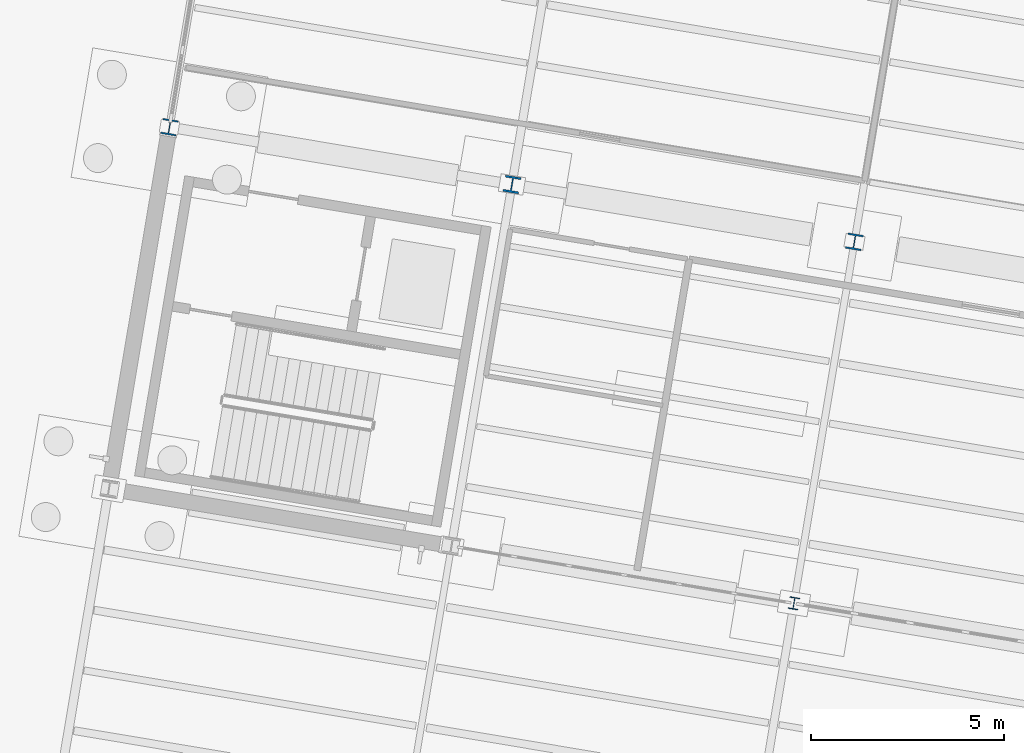
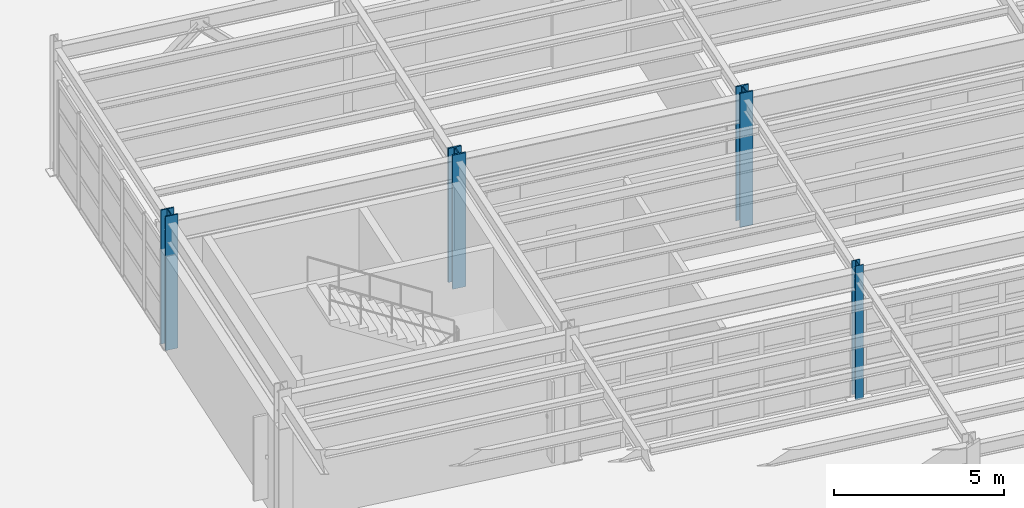
# One storey, part 20 of 108: 4 columns.
"""IFC4 building model written with IfcOpenShell, lengths in metres."""

import ifcopenshell
import ifcopenshell.guid

model = None  # the IFC model being written
_history = None  # IfcOwnerHistory: only IFC2X3 demands one
_inside = {}  # id of a spatial element -> (the spatial element, [elements in it])
_under = {}  # id of a project, library or spatial element -> (it, [spatial elements below it])
_declared = {}  # id of a project -> (the project, [libraries it declares])
_typed = {}  # id of a type object -> (the type object, [elements of that type])
_made_of = {}  # id of a material, layer set ... -> (it, [elements and type objects made of it])


def new_model(schema):
    """Start an empty IFC model of exactly this schema.

    Asked for "IFC4X3", IfcOpenShell would pick the latest addendum, in which some entities
    have other attributes; the version numbers below select the first issue.
    IFC2X3 requires an IfcOwnerHistory on every rooted entity: one is made here for all.
    """
    global model, _history
    if schema == "IFC4X3":
        model = ifcopenshell.file(schema_version=(4, 3, 0, 0))
    else:
        model = ifcopenshell.file(schema=schema)
    _inside.clear()
    _under.clear()
    _declared.clear()
    _typed.clear()
    _made_of.clear()
    _history = None
    if model.schema == "IFC2X3":
        org = make("IfcOrganization", Name="unknown")
        user = make(
            "IfcPersonAndOrganization",
            ThePerson=make("IfcPerson", FamilyName="unknown"),
            TheOrganization=org,
        )
        app = make(
            "IfcApplication",
            ApplicationDeveloper=org,
            Version="unknown",
            ApplicationFullName="unknown",
            ApplicationIdentifier="unknown",
        )
        _history = make(
            "IfcOwnerHistory",
            OwningUser=user,
            OwningApplication=app,
            ChangeAction="ADDED",
            CreationDate=0,
        )
    return model


def make(cls, **values):
    """One entity of the class cls with the attributes given. An attribute that is None is left unset."""
    return model.create_entity(
        cls, **{name: value for name, value in values.items() if value is not None}
    )


def rooted(cls, **values):
    """An entity with a GlobalId (a new one), such as an element, a storey or a relation."""
    return make(cls, GlobalId=ifcopenshell.guid.new(), OwnerHistory=_history, **values)


def si_unit(unit_type, name, prefix=None):
    """IfcSIUnit, for example si_unit("LENGTHUNIT", "METRE", prefix="MILLI")."""
    return make("IfcSIUnit", UnitType=unit_type, Prefix=prefix, Name=name)


def assignment(units):
    """IfcUnitAssignment: the units of a project."""
    return None if units is None else make("IfcUnitAssignment", Units=units)


def point(xyz):
    """IfcCartesianPoint."""
    return None if xyz is None else make("IfcCartesianPoint", Coordinates=xyz)


def direction(xyz):
    """IfcDirection."""
    return None if xyz is None else make("IfcDirection", DirectionRatios=xyz)


def frame(location, z_axis=None, x_axis=None):
    """IfcAxis2Placement3D, a coordinate frame: its origin and axes. An axis left out is left unset."""
    return make(
        "IfcAxis2Placement3D",
        Location=point(location),
        Axis=direction(z_axis),
        RefDirection=direction(x_axis),
    )


def frame_2d(location, x_axis=None):
    """IfcAxis2Placement2D, a coordinate frame in the plane: its origin and x axis."""
    return make(
        "IfcAxis2Placement2D", Location=point(location), RefDirection=direction(x_axis)
    )


def origin():
    """The frame at (0, 0, 0) with its axes left unset."""
    return frame((0.0, 0.0, 0.0))


def origin_2d():
    """The frame at (0, 0) in the plane with its x axis left unset."""
    return frame_2d((0.0, 0.0))


def place(relative_to, where):
    """IfcLocalPlacement: puts the frame where relative to a parent placement (None: the world)."""
    return make(
        "IfcLocalPlacement", PlacementRelTo=relative_to, RelativePlacement=where
    )


def context(
    kind, dimensions, precision=None, world=None, true_north=None, identifier=None
):
    """IfcGeometricRepresentationContext, for example the 3D "Model" context."""
    return make(
        "IfcGeometricRepresentationContext",
        ContextIdentifier=identifier,
        ContextType=kind,
        CoordinateSpaceDimension=dimensions,
        Precision=precision,
        WorldCoordinateSystem=world,
        TrueNorth=true_north,
    )


def subcontext(parent, identifier, kind, view, scale=None):
    """IfcGeometricRepresentationSubContext, for example "Body" below "Model"."""
    return make(
        "IfcGeometricRepresentationSubContext",
        ContextIdentifier=identifier,
        ContextType=kind,
        ParentContext=parent,
        TargetScale=scale,
        TargetView=view,
    )


def project(units=None, contexts=None):
    """IfcProject with its units and contexts."""
    return rooted(
        "IfcProject",
        Name="project",
        RepresentationContexts=contexts,
        UnitsInContext=assignment(units),
    )


def spatial(cls, under=None, at=None, **own):
    """A site, building, storey or space (cls), placed at a placement, below another one or the project."""
    s = rooted(cls, ObjectPlacement=at, **own)
    if under is not None:
        _under.setdefault(under.id(), (under, []))[1].append(s)
    return s


def profile(cls, at=None, kind="AREA", **sizes):
    """A parametric profile (cls). Its sizes go by their IFC names, for example OverallWidth=200.0."""
    return make(cls, ProfileType=kind, Position=at, **sizes)


def i_section(**sizes):
    """IfcIShapeProfileDef."""
    return profile("IfcIShapeProfileDef", **sizes)


def extrude(swept, where, along, depth):
    """IfcExtrudedAreaSolid: the profile swept, set in the frame where, extruded along a direction by depth."""
    return make(
        "IfcExtrudedAreaSolid",
        SweptArea=swept,
        Position=where,
        ExtrudedDirection=direction(along),
        Depth=depth,
    )


def shape(context_of_items, identifier, shape_type, items):
    """IfcShapeRepresentation: the items that make up one representation, for example the "Body"."""
    return make(
        "IfcShapeRepresentation",
        ContextOfItems=context_of_items,
        RepresentationIdentifier=identifier,
        RepresentationType=shape_type,
        Items=items,
    )


def material(Name=None, Category=None):
    """IfcMaterial."""
    return make("IfcMaterial", Name=Name, Category=Category)


def material_profile(
    of_material, cross_section, Name=None, Category=None, Priority=None
):
    """IfcMaterialProfile: a cross section and its material."""
    return make(
        "IfcMaterialProfile",
        Name=Name,
        Material=of_material,
        Profile=cross_section,
        Priority=Priority,
        Category=Category,
    )


def profile_set(profiles, Name=None, composite=None):
    """IfcMaterialProfileSet."""
    return make(
        "IfcMaterialProfileSet",
        Name=Name,
        MaterialProfiles=profiles,
        CompositeProfile=composite,
    )


def made_of(thing, what):
    """Note that an element or type object is made of a material, layer set ...; save() writes the relation."""
    if what is not None:
        _made_of.setdefault(what.id(), (what, []))[1].append(thing)
    return thing


def type_object(cls, material=None, **own):
    """A type object (cls), such as IfcWallType, which elements share."""
    return made_of(rooted(cls, **own), material)


def element(
    cls,
    number,
    at=None,
    inside=None,
    cuts=None,
    type_object=None,
    material=None,
    context=None,
    identifier="Body",
    shape_type=None,
    held_by="IfcProductDefinitionShape",
    body=None,
    shapes=None,
    **own,
):
    """One element of the class cls, such as IfcWall. Its Tag is "e" and its number.

    at: its placement. inside: the storey or other place that contains it. cuts: it is an
    opening in that element (IfcRelVoidsElement). A single representation is given by context,
    identifier, shape_type and body (its items); several are given by shapes. held_by: the class
    of the entity that holds the representations. save() writes the other relations.
    """
    e = rooted(cls, Tag="e%d" % number, ObjectPlacement=at, **own)
    if body is not None:
        shapes = [shape(context, identifier, shape_type, body)]
    if shapes is not None:
        e.Representation = make(held_by, Representations=shapes)
    if inside is not None:
        _inside.setdefault(inside.id(), (inside, []))[1].append(e)
    if cuts is not None:
        rooted(
            "IfcRelVoidsElement", RelatingBuildingElement=cuts, RelatedOpeningElement=e
        )
    if type_object is not None:
        _typed.setdefault(type_object.id(), (type_object, []))[1].append(e)
    return made_of(e, material)


def aggregate(whole, parts):
    """IfcRelAggregates: a whole, such as a stair, and the parts it consists of."""
    return rooted("IfcRelAggregates", RelatingObject=whole, RelatedObjects=parts)


def save(model, path):
    """Write the relations noted so far, then the file.

    IfcRelAggregates (storeys below a building ...), IfcRelContainedInSpatialStructure (elements
    in a storey), IfcRelDefinesByType, IfcRelAssociatesMaterial and IfcRelDeclares: one each for
    every whole, place, type object, material and project.
    """
    for whole, parts in _under.values():
        aggregate(whole, parts)
    for where, things in _inside.values():
        rooted(
            "IfcRelContainedInSpatialStructure",
            RelatedElements=things,
            RelatingStructure=where,
        )
    for kind, things in _typed.values():
        rooted("IfcRelDefinesByType", RelatedObjects=things, RelatingType=kind)
    for what, things in _made_of.values():
        rooted("IfcRelAssociatesMaterial", RelatedObjects=things, RelatingMaterial=what)
    for by, libraries in _declared.values():
        rooted("IfcRelDeclares", RelatingContext=by, RelatedDefinitions=libraries)
    model.write(path)


model = new_model("IFC4")

# Units and contexts
model_context = context("Model", 3, precision=1e-05, world=origin(), true_north=direction((0.0, 1.0)))
body_context = subcontext(model_context, "Body", "Model", "MODEL_VIEW")
ifc_project = project(units=[si_unit("LENGTHUNIT", "METRE"), si_unit("AREAUNIT", "SQUARE_METRE"), si_unit("VOLUMEUNIT", "CUBIC_METRE"), si_unit("PLANEANGLEUNIT", "RADIAN"), si_unit("MASSUNIT", "GRAM", prefix="KILO")], contexts=[model_context])

# Site, building, storey
site_placement = place(None, origin())
site = spatial("IfcSite", under=ifc_project, at=site_placement, CompositionType="ELEMENT")
building_placement = place(site_placement, origin())
building = spatial("IfcBuilding", under=site, at=building_placement, Name="Vireo Bluff Cable Station", CompositionType="ELEMENT")
storey_placement = place(building_placement, origin())
storey = spatial("IfcBuildingStorey", under=building, at=storey_placement, Name="L00", CompositionType="ELEMENT", Elevation=0.0)

# Columns
ifc_material = material(Name="Steel ASTM A992 Gr. 50", Category="steel")
ifc_material_profile_1 = material_profile(ifc_material, i_section(OverallWidth=0.404052734375, OverallDepth=0.406005859375, WebThickness=0.027099609375, FlangeThickness=0.043701171875, FilletRadius=0.014892578125, at=origin_2d()), Name="W14X233")
ifc_profile_set_1 = profile_set([ifc_material_profile_1], Name="Steel ASTM A992 Gr. 50")
column_type_1 = type_object("IfcColumnType", Name="COL-W14X233", PredefinedType="COLUMN", material=ifc_profile_set_1)
column_1_placement = place(storey_placement, frame((26.38916015625, 87.2685546875, 0.0), z_axis=(0.0, 0.0, 1.0), x_axis=(0.986285601537, -0.165047605861, 0.0)))
element("IfcColumn", 1, at=column_1_placement, inside=storey, type_object=column_type_1, Name="V4 L00 column 283", PredefinedType="COLUMN", context=body_context, shape_type="SweptSolid", body=[
    extrude(i_section(OverallWidth=0.404052734375, OverallDepth=0.406005859375, WebThickness=0.027099609375, FlangeThickness=0.043701171875, FilletRadius=0.014892578125, at=origin_2d()), origin(), (0.0, 0.0, 1.0), 4.800048828125),
])
ifc_material_profile_2 = material_profile(ifc_material, i_section(OverallWidth=0.408935546875, OverallDepth=0.424072265625, WebThickness=0.03271484375, FlangeThickness=0.052490234375, FilletRadius=0.014892578125, at=origin_2d()), Name="W14X283")
ifc_profile_set_2 = profile_set([ifc_material_profile_2], Name="Steel ASTM A992 Gr. 50")
column_type_2 = type_object("IfcColumnType", Name="COL-W14X283", PredefinedType="COLUMN", material=ifc_profile_set_2)
column_2_placement = place(storey_placement, frame((17.512451171875, 88.75390625, 0.0), z_axis=(0.0, 0.0, 1.0), x_axis=(0.986285601537, -0.165047605861, 0.0)))
element("IfcColumn", 2, at=column_2_placement, inside=storey, type_object=column_type_2, Name="V4 L00 column 268", PredefinedType="COLUMN", context=body_context, shape_type="SweptSolid", body=[
    extrude(i_section(OverallWidth=0.408935546875, OverallDepth=0.424072265625, WebThickness=0.03271484375, FlangeThickness=0.052490234375, FilletRadius=0.014892578125, at=origin_2d()), origin(), (0.0, 0.0, 1.0), 4.800048828125),
])
ifc_material_profile_3 = material_profile(ifc_material, i_section(OverallWidth=0.40087890625, OverallDepth=0.39892578125, WebThickness=0.02490234375, FlangeThickness=0.03955078125, FilletRadius=0.014892578125, at=origin_2d()), Name="W14X211")
ifc_profile_set_3 = profile_set([ifc_material_profile_3], Name="Steel ASTM A992 Gr. 50")
column_type_3 = type_object("IfcColumnType", Name="ECOL-W14X211", PredefinedType="COLUMN", material=ifc_profile_set_3)
column_3_placement = place(storey_placement, frame((8.635986328125, 90.239501953125, 0.0), z_axis=(0.0, 0.0, 1.0), x_axis=(0.986285601537, -0.165047605861, 0.0)))
element("IfcColumn", 3, at=column_3_placement, inside=storey, type_object=column_type_3, Name="V4 L00 column 253", PredefinedType="COLUMN", context=body_context, shape_type="SweptSolid", body=[
    extrude(i_section(OverallWidth=0.40087890625, OverallDepth=0.39892578125, WebThickness=0.02490234375, FlangeThickness=0.03955078125, FilletRadius=0.014892578125, at=origin_2d()), origin(), (0.0, 0.0, 1.0), 4.800048828125),
])
ifc_material_profile_4 = material_profile(ifc_material, i_section(OverallWidth=0.25390625, OverallDepth=0.305908203125, WebThickness=0.0087890625, FlangeThickness=0.0146484375, FilletRadius=0.010986328125, at=origin_2d()), Name="W12X53")
ifc_profile_set_4 = profile_set([ifc_material_profile_4], Name="Steel ASTM A992 Gr. 50")
column_type_4 = type_object("IfcColumnType", Name="PIL-W12X53", PredefinedType="PILASTER", material=ifc_profile_set_4)
column_4_placement = place(storey_placement, frame((24.821044921875, 77.89892578125, 0.0), z_axis=(0.0, 0.0, 1.0), x_axis=(0.986285601537, -0.165047605861, 0.0)))
element("IfcColumn", 4, at=column_4_placement, inside=storey, type_object=column_type_4, Name="V4 L00 column 279", PredefinedType="PILASTER", context=body_context, shape_type="SweptSolid", body=[
    extrude(i_section(OverallWidth=0.25390625, OverallDepth=0.305908203125, WebThickness=0.0087890625, FlangeThickness=0.0146484375, FilletRadius=0.010986328125, at=origin_2d()), origin(), (0.0, 0.0, 1.0), 4.800048828125),
])

save(model, "model.ifc")
